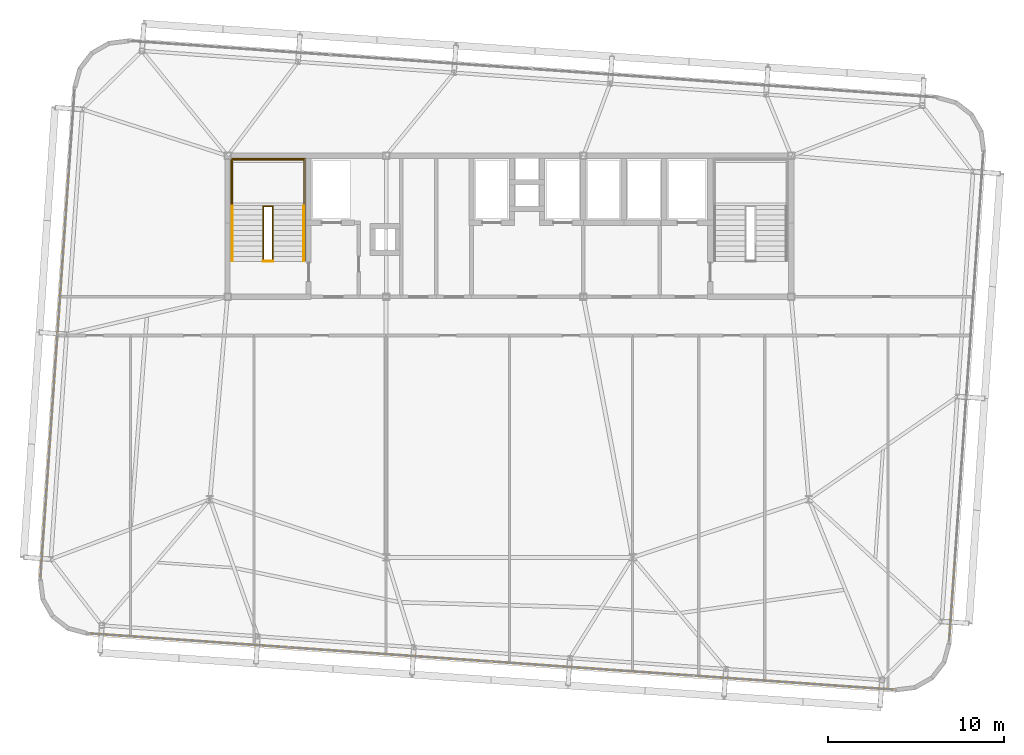
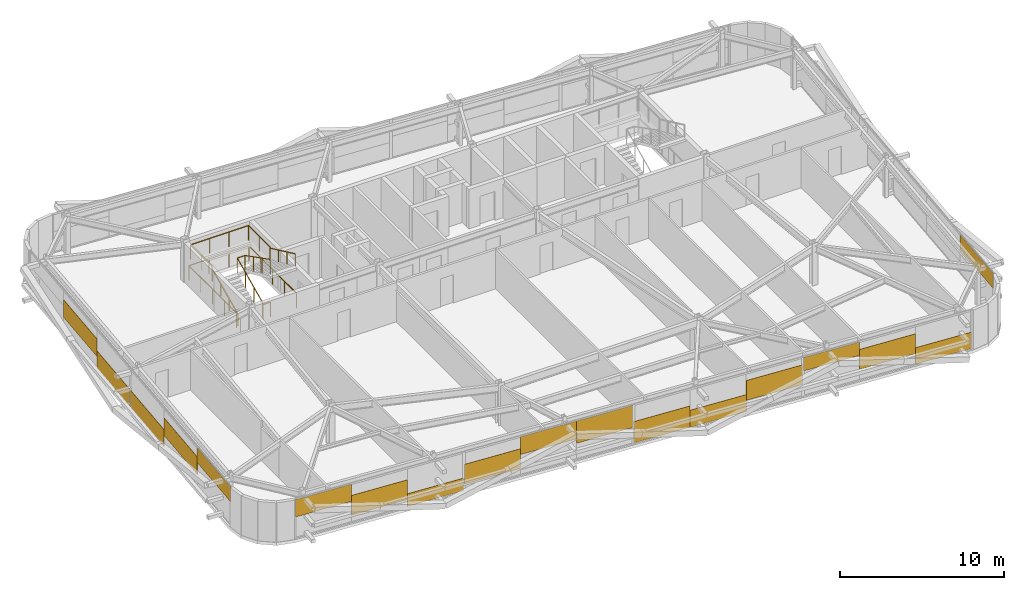
# One storey, part 38 of 39: 18 coverings, 6 railings.
"""IFC4 building model written with IfcOpenShell, lengths in metres."""

from ifc_helpers import new_model, si_unit, direction, frame, origin, origin_2d, place, context, subcontext, project, spatial, rectangle, extrude, source, transform, mapped, material, layer, layer_set, type_object, element, save


model = new_model("IFC4")

# Units and contexts
model_context = context("Model", 3, precision=1e-05, world=origin(), true_north=direction((0.0, 1.0)))
body_context = subcontext(model_context, "Body", "Model", "MODEL_VIEW")
ifc_project = project(units=[si_unit("LENGTHUNIT", "METRE"), si_unit("AREAUNIT", "SQUARE_METRE"), si_unit("VOLUMEUNIT", "CUBIC_METRE"), si_unit("PLANEANGLEUNIT", "RADIAN"), si_unit("MASSUNIT", "GRAM", prefix="KILO")], contexts=[model_context])

# Site, building, storey
site_placement = place(None, origin())
site = spatial("IfcSite", under=ifc_project, at=site_placement, CompositionType="ELEMENT")
building_placement = place(site_placement, origin())
building = spatial("IfcBuilding", under=site, at=building_placement, Name="Taldren Reach Tower", CompositionType="ELEMENT")
storey_placement = place(building_placement, frame((0.0, 0.0, 155.050048828125)))
storey = spatial("IfcBuildingStorey", under=building, at=storey_placement, Name="L47", CompositionType="ELEMENT", Elevation=155.050048828125)

# Railings
ifc_material_1 = material(Name="Steel Gr 350 (C350L0)", Category="steel")
ifc_layer_1 = layer(ifc_material_1, 0.050048828125)
ifc_layer_set_1 = layer_set([ifc_layer_1], Name="Steel Gr 350 (C350L0)")
railing_type_1 = type_object("IfcRailingType", Name="RL-STAIR-GR", PredefinedType="GUARDRAIL", material=ifc_layer_set_1)
railing_1_placement = place(storey_placement, frame((19.260009765625, 29.135009765625, 1.574951171875)))
element("IfcRailing", 1, at=railing_1_placement, inside=storey, type_object=railing_type_1, Name="Stair half-landing perimeter guard ST1-L47", PredefinedType="GUARDRAIL", context=body_context, shape_type="SweptSolid", body=[
    extrude(rectangle(XDim=0.047852, YDim=0.047852, at=origin_2d()), frame((0.0, 0.0, 1.09619140625), z_axis=(0.0, 1.0, 0.0), x_axis=(-1.0, 0.0, 0.0)), (0.0, 0.0, 1.0), 2.64501953125),
    extrude(rectangle(XDim=0.047852, YDim=0.047852, at=origin_2d()), frame((0.0, 2.64501953125, 1.09619140625), z_axis=(1.0, 0.0, 0.0), x_axis=(0.0, 1.0, 0.0)), (0.0, 0.0, 1.0), 4.080078125),
    extrude(rectangle(XDim=0.047852, YDim=0.047852, at=origin_2d()), frame((4.080078125, 2.64501953125, 1.09619140625), z_axis=(0.0, -1.0, 0.0), x_axis=(1.0, 0.0, 0.0)), (0.0, 0.0, 1.0), 2.64501953125),
    extrude(rectangle(XDim=0.041992, YDim=0.041992, at=origin_2d()), origin(), (0.0, 0.0, 1.0), 1.072021484375),
    extrude(rectangle(XDim=0.041992, YDim=0.041992, at=origin_2d()), frame((0.0, 1.322509765625, 0.0)), (0.0, 0.0, 1.0), 1.072021484375),
    extrude(rectangle(XDim=0.041992, YDim=0.041992, at=origin_2d()), frame((0.0, 2.64501953125, 0.0)), (0.0, 0.0, 1.0), 1.072021484375),
    extrude(rectangle(XDim=0.041992, YDim=0.041992, at=origin_2d()), frame((1.360107421875, 2.64501953125, 0.0)), (0.0, 0.0, 1.0), 1.072021484375),
    extrude(rectangle(XDim=0.041992, YDim=0.041992, at=origin_2d()), frame((2.719970703125, 2.64501953125, 0.0)), (0.0, 0.0, 1.0), 1.072021484375),
    extrude(rectangle(XDim=0.041992, YDim=0.041992, at=origin_2d()), frame((4.080078125, 2.64501953125, 0.0)), (0.0, 0.0, 1.0), 1.072021484375),
    extrude(rectangle(XDim=0.041992, YDim=0.041992, at=origin_2d()), frame((4.080078125, 1.322509765625, 0.0)), (0.0, 0.0, 1.0), 1.072021484375),
    extrude(rectangle(XDim=0.041992, YDim=0.041992, at=origin_2d()), frame((4.080078125, 0.0, 0.0)), (0.0, 0.0, 1.0), 1.072021484375),
])
railing_2_placement = place(storey_placement, frame((21.030029296875, 26.050048828125, 0.13134765625)))
element("IfcRailing", 2, at=railing_2_placement, inside=storey, type_object=railing_type_1, Name="Stairwell inner guard ST1-L47", PredefinedType="GUARDRAIL", context=body_context, shape_type="SweptSolid", body=[
    extrude(rectangle(XDim=0.047852, YDim=0.047852, at=origin_2d()), frame((0.0, 0.0, 1.09619140625), z_axis=(0.0, 0.905737652094, 0.423838773095), x_axis=(-1.0, 0.0, 0.0)), (0.0, 0.0, 1.0), 3.406005859375),
    extrude(rectangle(XDim=0.047852, YDim=0.047852, at=origin_2d()), frame((0.0, 3.0849609375, 2.53955078125), z_axis=(1.0, 0.0, 0.0), x_axis=(0.0, 1.0, 0.0)), (0.0, 0.0, 1.0), 0.5400390625),
    extrude(rectangle(XDim=0.047852, YDim=0.047852, at=origin_2d()), frame((0.5400390625, 3.0849609375, 2.53955078125), z_axis=(0.0, -0.890645957773, 0.45469745755), x_axis=(1.0, 0.0, 0.0)), (0.0, 0.0, 1.0), 3.463623046875),
    extrude(rectangle(XDim=0.041992, YDim=0.041992, at=origin_2d()), origin(), (0.0, 0.0, 1.0), 1.072021484375),
    extrude(rectangle(XDim=0.041992, YDim=0.041992, at=origin_2d()), frame((0.0, 1.0283203125, 0.481201171875)), (0.0, 0.0, 1.0), 1.072021484375),
    extrude(rectangle(XDim=0.041992, YDim=0.041992, at=origin_2d()), frame((0.0, 2.056640625, 0.96240234375)), (0.0, 0.0, 1.0), 1.072021484375),
    extrude(rectangle(XDim=0.041992, YDim=0.041992, at=origin_2d()), frame((0.0, 3.0849609375, 1.443603515625)), (0.0, 0.0, 1.0), 1.072021484375),
    extrude(rectangle(XDim=0.041992, YDim=0.041992, at=origin_2d()), frame((0.5400390625, 3.0849609375, 1.443603515625)), (0.0, 0.0, 1.0), 1.072021484375),
    extrude(rectangle(XDim=0.041992, YDim=0.041992, at=origin_2d()), frame((0.5400390625, 2.056640625, 1.968505859375)), (0.0, 0.0, 1.0), 1.072021484375),
    extrude(rectangle(XDim=0.041992, YDim=0.041992, at=origin_2d()), frame((0.5400390625, 1.0283203125, 2.49365234375)), (0.0, 0.0, 1.0), 1.072021484375),
    extrude(rectangle(XDim=0.041992, YDim=0.041992, at=origin_2d()), frame((0.5400390625, 0.0, 3.0185546875)), (0.0, 0.0, 1.0), 1.072021484375),
])
railing_3_placement = place(storey_placement, frame((21.030029296875, 26.010009765625, 0.0)))
element("IfcRailing", 3, at=railing_3_placement, inside=storey, type_object=railing_type_1, Name="Stairwell landing slot guard ST1-L47", PredefinedType="GUARDRAIL", context=body_context, shape_type="SweptSolid", body=[
    extrude(rectangle(XDim=0.047852, YDim=0.047852, at=origin_2d()), frame((0.0, 0.0, 1.09619140625), z_axis=(1.0, 0.0, 0.0), x_axis=(0.0, 1.0, 0.0)), (0.0, 0.0, 1.0), 0.5400390625),
    extrude(rectangle(XDim=0.041992, YDim=0.041992, at=origin_2d()), origin(), (0.0, 0.0, 1.0), 1.072021484375),
    extrude(rectangle(XDim=0.041992, YDim=0.041992, at=origin_2d()), frame((0.5400390625, 0.0, 0.0)), (0.0, 0.0, 1.0), 1.072021484375),
])
railing_4_placement = place(storey_placement, frame((19.18994140625, 26.050048828125, 0.0)))
element("IfcRailing", 4, at=railing_4_placement, inside=storey, type_object=railing_type_1, Name="Stairwell floor opening guard ST1-L47", PredefinedType="GUARDRAIL", context=body_context, shape_type="SweptSolid", body=[
    extrude(rectangle(XDim=0.047852, YDim=0.047852, at=origin_2d()), frame((0.0, 0.0, 1.09619140625), z_axis=(0.0, 1.0, 0.0), x_axis=(-1.0, 0.0, 0.0)), (0.0, 0.0, 1.0), 5.800048828125),
    extrude(rectangle(XDim=0.047852, YDim=0.047852, at=origin_2d()), frame((0.0, 5.800048828125, 1.09619140625), z_axis=(1.0, 0.0, 0.0), x_axis=(0.0, 1.0, 0.0)), (0.0, 0.0, 1.0), 4.219970703125),
    extrude(rectangle(XDim=0.047852, YDim=0.047852, at=origin_2d()), frame((4.219970703125, 5.800048828125, 1.09619140625), z_axis=(0.0, -1.0, 0.0), x_axis=(1.0, 0.0, 0.0)), (0.0, 0.0, 1.0), 5.800048828125),
    extrude(rectangle(XDim=0.041992, YDim=0.041992, at=origin_2d()), origin(), (0.0, 0.0, 1.0), 1.072021484375),
    extrude(rectangle(XDim=0.041992, YDim=0.041992, at=origin_2d()), frame((0.0, 1.449951171875, 0.0)), (0.0, 0.0, 1.0), 1.072021484375),
    extrude(rectangle(XDim=0.041992, YDim=0.041992, at=origin_2d()), frame((0.0, 2.89990234375, 0.0)), (0.0, 0.0, 1.0), 1.072021484375),
    extrude(rectangle(XDim=0.041992, YDim=0.041992, at=origin_2d()), frame((0.0, 4.35009765625, 0.0)), (0.0, 0.0, 1.0), 1.072021484375),
    extrude(rectangle(XDim=0.041992, YDim=0.041992, at=origin_2d()), frame((0.0, 5.800048828125, 0.0)), (0.0, 0.0, 1.0), 1.072021484375),
    extrude(rectangle(XDim=0.041992, YDim=0.041992, at=origin_2d()), frame((1.40673828125, 5.800048828125, 0.0)), (0.0, 0.0, 1.0), 1.072021484375),
    extrude(rectangle(XDim=0.041992, YDim=0.041992, at=origin_2d()), frame((2.813232421875, 5.800048828125, 0.0)), (0.0, 0.0, 1.0), 1.072021484375),
    extrude(rectangle(XDim=0.041992, YDim=0.041992, at=origin_2d()), frame((4.219970703125, 5.800048828125, 0.0)), (0.0, 0.0, 1.0), 1.072021484375),
    extrude(rectangle(XDim=0.041992, YDim=0.041992, at=origin_2d()), frame((4.219970703125, 4.35009765625, 0.0)), (0.0, 0.0, 1.0), 1.072021484375),
    extrude(rectangle(XDim=0.041992, YDim=0.041992, at=origin_2d()), frame((4.219970703125, 2.89990234375, 0.0)), (0.0, 0.0, 1.0), 1.072021484375),
    extrude(rectangle(XDim=0.041992, YDim=0.041992, at=origin_2d()), frame((4.219970703125, 1.449951171875, 0.0)), (0.0, 0.0, 1.0), 1.072021484375),
    extrude(rectangle(XDim=0.041992, YDim=0.041992, at=origin_2d()), frame((4.219970703125, 0.0, 0.0)), (0.0, 0.0, 1.0), 1.072021484375),
])
ifc_material_2 = material(Name="Stainless Steel Gr 316", Category="steel")
ifc_layer_2 = layer(ifc_material_2, 0.048095703125)
ifc_layer_set_2 = layer_set([ifc_layer_2], Name="Stainless Steel Gr 316")
railing_type_2 = type_object("IfcRailingType", Name="RL-STAIR-HR", PredefinedType="HANDRAIL", material=ifc_layer_set_2)
railing_5_placement = place(storey_placement, frame((19.27001953125, 26.050048828125, 0.13134765625)))
element("IfcRailing", 5, at=railing_5_placement, inside=storey, type_object=railing_type_2, Name="Stair flight handrail ST1-L47-1", PredefinedType="HANDRAIL", context=body_context, shape_type="SweptSolid", body=[
    extrude(rectangle(XDim=0.047852, YDim=0.047852, at=origin_2d()), frame((0.0, 0.0, 0.89599609375), z_axis=(0.0, 0.905737652094, 0.423838773095), x_axis=(-1.0, 0.0, 0.0)), (0.0, 0.0, 1.0), 3.406005859375),
    extrude(rectangle(XDim=0.041992, YDim=0.041992, at=origin_2d()), origin(), (0.0, 0.0, 1.0), 0.871826171875),
    extrude(rectangle(XDim=0.041992, YDim=0.041992, at=origin_2d()), frame((0.0, 1.0283203125, 0.481201171875)), (0.0, 0.0, 1.0), 0.871826171875),
    extrude(rectangle(XDim=0.041992, YDim=0.041992, at=origin_2d()), frame((0.0, 2.056640625, 0.96240234375)), (0.0, 0.0, 1.0), 0.871826171875),
    extrude(rectangle(XDim=0.041992, YDim=0.041992, at=origin_2d()), frame((0.0, 3.0849609375, 1.443603515625)), (0.0, 0.0, 1.0), 0.871826171875),
])
railing_6_placement = place(storey_placement, frame((23.330078125, 29.135009765625, 1.7060546875)))
element("IfcRailing", 6, at=railing_6_placement, inside=storey, type_object=railing_type_2, Name="Stair flight handrail ST1-L47-2", PredefinedType="HANDRAIL", context=body_context, shape_type="SweptSolid", body=[
    extrude(rectangle(XDim=0.047852, YDim=0.047852, at=origin_2d()), frame((0.0, 0.0, 0.89599609375), z_axis=(0.0, -0.905710134349, 0.423897573167), x_axis=(1.0, 0.0, 0.0)), (0.0, 0.0, 1.0), 3.406005859375),
    extrude(rectangle(XDim=0.041992, YDim=0.041992, at=origin_2d()), origin(), (0.0, 0.0, 1.0), 0.871826171875),
    extrude(rectangle(XDim=0.041992, YDim=0.041992, at=origin_2d()), frame((0.0, -1.0283203125, 0.481201171875)), (0.0, 0.0, 1.0), 0.871826171875),
    extrude(rectangle(XDim=0.041992, YDim=0.041992, at=origin_2d()), frame((0.0, -2.056640625, 0.962646484375)), (0.0, 0.0, 1.0), 0.871826171875),
    extrude(rectangle(XDim=0.041992, YDim=0.041992, at=origin_2d()), frame((0.0, -3.0849609375, 1.44384765625)), (0.0, 0.0, 1.0), 0.871826171875),
])

# Coverings
ifc_material_3 = material(Name="Pale Champagne Fluoropolymer Aluminium Spandrel Cladding", Category="aluminium")
ifc_layer_3 = layer(ifc_material_3, 0.0439453125)
ifc_layer_set_3 = layer_set([ifc_layer_3], Name="Pale Champagne Fluoropolymer Aluminium Spandrel Cladding")
covering_type = type_object("IfcCoveringType", Name="CV-CLAD-044", PredefinedType="CLADDING", material=ifc_layer_set_3)
shared_shape_1 = source(origin(), body_context, "Body", "SweptSolid", [
    extrude(rectangle(XDim=3.79833984375, YDim=0.0439453125, at=origin_2d()), origin(), (0.0, 0.0, 1.0), 1.22216796875),
])
covering_1_placement = place(storey_placement, frame((54.95361328125, 1.81396484375, 0.054931640625), z_axis=(0.0, 0.0, 1.0), x_axis=(0.99756404731, -0.06975651593, 0.0)))
element("IfcCovering", 7, at=covering_1_placement, inside=storey, type_object=covering_type, Name="Diagrid closure cladding strip CW-4 panel 4.1 3", PredefinedType="CLADDING", context=body_context, shape_type="MappedRepresentation", body=[
    mapped(shared_shape_1, transform((0.0, 0.0, 0.0), scale=1.0)),
])
shared_shape_2 = source(origin(), body_context, "Body", "SweptSolid", [
    extrude(rectangle(XDim=3.79833984375, YDim=0.0439453125, at=origin_2d()), origin(), (0.0, 0.0, 1.0), 1.474365234375),
])
for number, where, z_axis, x_axis, name in (
    (8, (16.783447265625, 4.483154296875, 0.55322265625), (0.0, 0.0, 1.0), (0.99756404731, -0.06975651593, 0.0), "Diagrid closure cladding strip CW-4 panel 1.1 2"),
    (9, (51.16455078125, 2.0791015625, 0.84228515625), (0.0, 0.0, 1.0), (0.99756404731, -0.06975651593, 0.0), "Diagrid closure cladding strip CW-4 panel 4.1 2"),
):
    element("IfcCovering", number, at=place(storey_placement, frame(where, z_axis=z_axis, x_axis=x_axis)), inside=storey, type_object=covering_type, Name=name, PredefinedType="CLADDING", context=body_context, shape_type="MappedRepresentation", body=[
        mapped(shared_shape_2, transform((0.0, 0.0, 0.0), scale=1.0)),
    ])
shared_shape_3 = source(origin(), body_context, "Body", "SweptSolid", [
    extrude(rectangle(XDim=3.79833984375, YDim=0.0439453125, at=origin_2d()), origin(), (0.0, 0.0, 1.0), 0.993408203125),
])
covering_2_placement = place(storey_placement, frame((47.375244140625, 2.343994140625, 1.88134765625), z_axis=(0.0, 0.0, 1.0), x_axis=(0.99756404731, -0.06975651593, 0.0)))
element("IfcCovering", 10, at=covering_2_placement, inside=storey, type_object=covering_type, Name="Diagrid closure cladding strip CW-4 panel 4.1 1", PredefinedType="CLADDING", context=body_context, shape_type="MappedRepresentation", body=[
    mapped(shared_shape_3, transform((0.0, 0.0, 0.0), scale=1.0)),
])
shared_shape_4 = source(origin(), body_context, "Body", "SweptSolid", [
    extrude(rectangle(XDim=3.81005859375, YDim=0.0439453125, at=origin_2d()), origin(), (0.0, 0.0, 1.0), 1.477783203125),
])
for number, where, z_axis, x_axis, name in (
    (11, (24.437255859375, 3.947998046875, 0.509765625), (0.0, 0.0, 1.0), (0.99756404731, -0.06975651593, 0.0), "Diagrid closure cladding strip CW-4 panel 2.1 1"),
    (12, (43.510498046875, 2.6142578125, 0.88232421875), (0.0, 0.0, 1.0), (0.99756404731, -0.06975651593, 0.0), "Diagrid closure cladding strip CW-4 panel 3.1 3"),
):
    element("IfcCovering", number, at=place(storey_placement, frame(where, z_axis=z_axis, x_axis=x_axis)), inside=storey, type_object=covering_type, Name=name, PredefinedType="CLADDING", context=body_context, shape_type="MappedRepresentation", body=[
        mapped(shared_shape_4, transform((0.0, 0.0, 0.0), scale=1.0)),
    ])
shared_shape_5 = source(origin(), body_context, "Body", "SweptSolid", [
    extrude(rectangle(XDim=3.81005859375, YDim=0.0439453125, at=origin_2d()), origin(), (0.0, 0.0, 1.0), 1.26220703125),
])
covering_3_placement = place(storey_placement, frame((39.7099609375, 2.8798828125, 0.054931640625), z_axis=(0.0, 0.0, 1.0), x_axis=(0.99756404731, -0.06975651593, 0.0)))
element("IfcCovering", 13, at=covering_3_placement, inside=storey, type_object=covering_type, Name="Diagrid closure cladding strip CW-4 panel 3.1 2", PredefinedType="CLADDING", context=body_context, shape_type="MappedRepresentation", body=[
    mapped(shared_shape_5, transform((0.0, 0.0, 0.0), scale=1.0)),
])
shared_shape_6 = source(origin(), body_context, "Body", "SweptSolid", [
    extrude(rectangle(XDim=3.81005859375, YDim=0.0439453125, at=origin_2d()), origin(), (0.0, 0.0, 1.0), 1.587890625),
])
covering_4_placement = place(storey_placement, frame((35.9091796875, 3.145751953125, 0.054931640625), z_axis=(0.0, 0.0, 1.0), x_axis=(0.99756404731, -0.06975651593, 0.0)))
element("IfcCovering", 14, at=covering_4_placement, inside=storey, type_object=covering_type, Name="Diagrid closure cladding strip CW-4 panel 3.1 1", PredefinedType="CLADDING", context=body_context, shape_type="MappedRepresentation", body=[
    mapped(shared_shape_6, transform((0.0, 0.0, 0.0), scale=1.0)),
])
shared_shape_7 = source(origin(), body_context, "Body", "SweptSolid", [
    extrude(rectangle(XDim=3.81005859375, YDim=0.0439453125, at=origin_2d()), origin(), (0.0, 0.0, 1.0), 1.64794921875),
])
covering_5_placement = place(storey_placement, frame((32.03857421875, 3.41650390625, 1.22705078125), z_axis=(0.0, 0.0, 1.0), x_axis=(0.99756404731, -0.06975651593, 0.0)))
element("IfcCovering", 15, at=covering_5_placement, inside=storey, type_object=covering_type, Name="Diagrid closure cladding strip CW-4 panel 2.1 3", PredefinedType="CLADDING", context=body_context, shape_type="MappedRepresentation", body=[
    mapped(shared_shape_7, transform((0.0, 0.0, 0.0), scale=1.0)),
])
shared_shape_8 = source(origin(), body_context, "Body", "SweptSolid", [
    extrude(rectangle(XDim=3.81005859375, YDim=0.0439453125, at=origin_2d()), origin(), (0.0, 0.0, 1.0), 1.322265625),
])
covering_6_placement = place(storey_placement, frame((28.23779296875, 3.68212890625, 1.552734375), z_axis=(0.0, 0.0, 1.0), x_axis=(0.99756404731, -0.06975651593, 0.0)))
element("IfcCovering", 16, at=covering_6_placement, inside=storey, type_object=covering_type, Name="Diagrid closure cladding strip CW-4 panel 2.1 2", PredefinedType="CLADDING", context=body_context, shape_type="MappedRepresentation", body=[
    mapped(shared_shape_8, transform((0.0, 0.0, 0.0), scale=1.0)),
])
shared_shape_9 = source(origin(), body_context, "Body", "SweptSolid", [
    extrude(rectangle(XDim=3.79833984375, YDim=0.0439453125, at=origin_2d()), origin(), (0.0, 0.0, 1.0), 0.93359375),
])
covering_7_placement = place(storey_placement, frame((20.572509765625, 4.21826171875, 0.054931640625), z_axis=(0.0, 0.0, 1.0), x_axis=(0.99756404731, -0.06975651593, 0.0)))
element("IfcCovering", 17, at=covering_7_placement, inside=storey, type_object=covering_type, Name="Diagrid closure cladding strip CW-4 panel 1.1 3", PredefinedType="CLADDING", context=body_context, shape_type="MappedRepresentation", body=[
    mapped(shared_shape_9, transform((0.0, 0.0, 0.0), scale=1.0)),
])
shared_shape_10 = source(origin(), body_context, "Body", "SweptSolid", [
    extrude(rectangle(XDim=3.79833984375, YDim=0.0439453125, at=origin_2d()), origin(), (0.0, 0.0, 1.0), 1.2822265625),
])
covering_8_placement = place(storey_placement, frame((12.994384765625, 4.748046875, 1.5927734375), z_axis=(0.0, 0.0, 1.0), x_axis=(0.99756404731, -0.06975651593, 0.0)))
element("IfcCovering", 18, at=covering_8_placement, inside=storey, type_object=covering_type, Name="Diagrid closure cladding strip CW-4 panel 1.1 1", PredefinedType="CLADDING", context=body_context, shape_type="MappedRepresentation", body=[
    mapped(shared_shape_10, transform((0.0, 0.0, 0.0), scale=1.0)),
])
shared_shape_11 = source(origin(), body_context, "Body", "SweptSolid", [
    extrude(rectangle(XDim=4.631591796875, YDim=0.0439453125, at=origin_2d()), origin(), (0.0, 0.0, 1.0), 1.306640625),
])
for number, where, z_axis, x_axis, name in (
    (19, (9.840087890625, 28.869384765625, 0.892333984375), (0.0, 0.0, 1.0), (-0.069756437251, -0.997564052812, 0.0), "Diagrid closure cladding strip CW-4 panel 1.1 2"),
    (20, (8.865966796875, 14.9384765625, 0.892333984375), (0.0, 0.0, 1.0), (-0.069756437251, -0.997564052812, 0.0), "Diagrid closure cladding strip CW-4 panel 2.1 2"),
):
    element("IfcCovering", number, at=place(storey_placement, frame(where, z_axis=z_axis, x_axis=x_axis)), inside=storey, type_object=covering_type, Name=name, PredefinedType="CLADDING", context=body_context, shape_type="MappedRepresentation", body=[
        mapped(shared_shape_11, transform((0.0, 0.0, 0.0), scale=1.0)),
    ])
shared_shape_12 = source(origin(), body_context, "Body", "SweptSolid", [
    extrude(rectangle(XDim=4.631591796875, YDim=0.0439453125, at=origin_2d()), origin(), (0.0, 0.0, 1.0), 1.103515625),
])
for number, where, z_axis, x_axis, name in (
    (21, (8.542724609375, 10.318115234375, 1.771484375), (0.0, 0.0, 1.0), (-0.069756437251, -0.997564052812, 0.0), "Diagrid closure cladding strip CW-4 panel 2.1 3"),
    (22, (60.136962890625, 6.710205078125, 1.771484375), (0.0, 0.0, 1.0), (0.069756437251, 0.997564052812, 0.0), "Diagrid closure cladding strip CW-4 panel 1.1 1"),
):
    element("IfcCovering", number, at=place(storey_placement, frame(where, z_axis=z_axis, x_axis=x_axis)), inside=storey, type_object=covering_type, Name=name, PredefinedType="CLADDING", context=body_context, shape_type="MappedRepresentation", body=[
        mapped(shared_shape_12, transform((0.0, 0.0, 0.0), scale=1.0)),
    ])
shared_shape_13 = source(origin(), body_context, "Body", "SweptSolid", [
    extrude(rectangle(XDim=4.631591796875, YDim=0.0439453125, at=origin_2d()), origin(), (0.0, 0.0, 1.0), 1.2646484375),
])
for number, where, z_axis, x_axis, name in (
    (23, (9.51708984375, 24.2490234375, 0.054931640625), (0.0, 0.0, 1.0), (-0.069756437251, -0.997564052812, 0.0), "Diagrid closure cladding strip CW-4 panel 1.1 3"),
    (24, (9.18896484375, 19.558837890625, 0.054931640625), (0.0, 0.0, 1.0), (-0.069756437251, -0.997564052812, 0.0), "Diagrid closure cladding strip CW-4 panel 2.1 1"),
):
    element("IfcCovering", number, at=place(storey_placement, frame(where, z_axis=z_axis, x_axis=x_axis)), inside=storey, type_object=covering_type, Name=name, PredefinedType="CLADDING", context=body_context, shape_type="MappedRepresentation", body=[
        mapped(shared_shape_13, transform((0.0, 0.0, 0.0), scale=1.0)),
    ])

save(model, "model.ifc")
